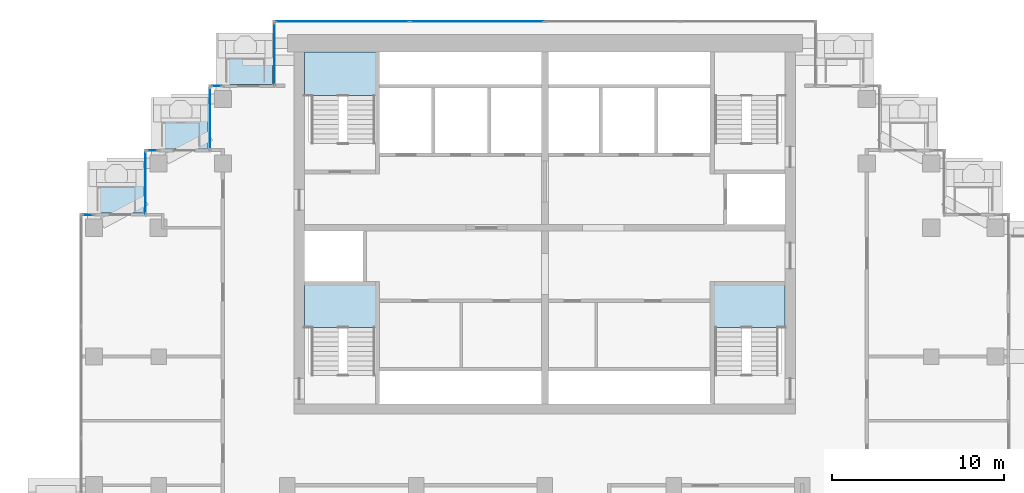
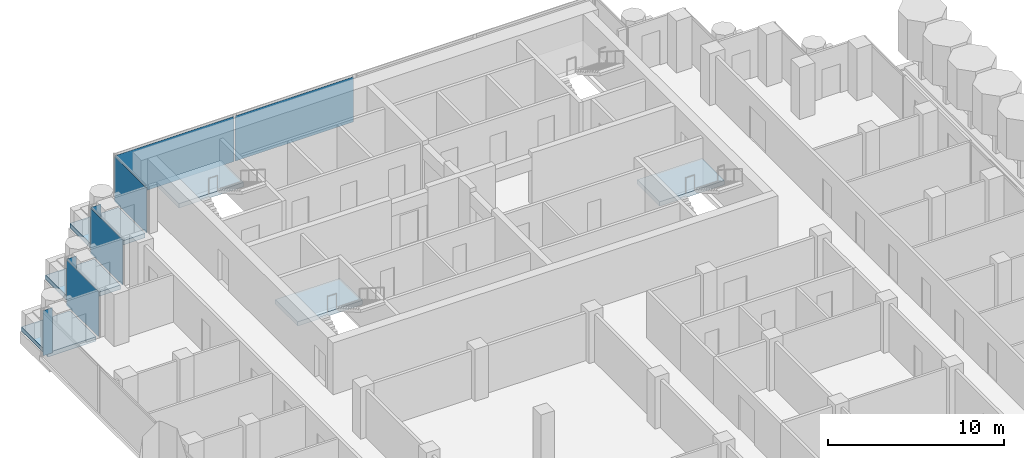
# One storey, part 9 of 19: 8 plates, 6 slabs, 10 elements without a shape of their own.
"""IFC4 building model written with IfcOpenShell, lengths in metres."""

from ifc_helpers import new_model, si_unit, direction, frame, origin, origin_2d, place, context, subcontext, project, spatial, polyline, rectangle, outline, extrude, material, layer, layer_set, type_object, element, aggregate, save


model = new_model("IFC4")

# Units and contexts
model_context = context("Model", 3, precision=1e-05, world=origin(), true_north=direction((0.0, 1.0)))
body_context = subcontext(model_context, "Body", "Model", "MODEL_VIEW")
ifc_project = project(units=[si_unit("LENGTHUNIT", "METRE"), si_unit("AREAUNIT", "SQUARE_METRE"), si_unit("VOLUMEUNIT", "CUBIC_METRE"), si_unit("PLANEANGLEUNIT", "RADIAN"), si_unit("MASSUNIT", "GRAM", prefix="KILO")], contexts=[model_context])

# Site, building, storey
site_placement = place(None, origin())
site = spatial("IfcSite", under=ifc_project, at=site_placement, CompositionType="ELEMENT")
building_placement = place(site_placement, origin())
building = spatial("IfcBuilding", under=site, at=building_placement, Name="Pilkhan Gate Tower", CompositionType="ELEMENT")
storey_placement = place(building_placement, frame((0.0, 0.0, 217.5)))
storey = spatial("IfcBuildingStorey", under=building, at=storey_placement, Name="L56", CompositionType="ELEMENT", Elevation=217.5)

# Slabs
ifc_material_1 = material(Name="Concrete C60/75", Category="concrete")
ifc_layer_1 = layer(ifc_material_1, 0.300048828125)
ifc_layer_set_1 = layer_set([ifc_layer_1], Name="Balcony tray slab TR300")
slab_type_1 = type_object("IfcSlabType", Name="Balcony tray slab TR300", PredefinedType="FLOOR", material=ifc_layer_set_1)
slab_1_placement = place(storey_placement, frame((0.0, 0.0, -0.300048828125)))
element("IfcSlab", 1, at=slab_1_placement, inside=storey, type_object=slab_type_1, Name="Balcony tray L56 N", PredefinedType="FLOOR", context=body_context, shape_type="SweptSolid", body=[
    extrude(outline(polyline([(59.14990234375, 90.85009765625), (59.14990234375, 93.85009765625), (55.949951171875, 93.85009765625), (55.949951171875, 90.85009765625), (59.14990234375, 90.85009765625)])), origin(), (0.0, 0.0, 1.0), 0.300048828125),
])
slab_2_placement = place(storey_placement, frame((0.0, 0.0, -0.300048828125)))
element("IfcSlab", 2, at=slab_2_placement, inside=storey, type_object=slab_type_1, Name="Balcony tray L56 N", PredefinedType="FLOOR", context=body_context, shape_type="SweptSolid", body=[
    extrude(outline(polyline([(55.3798828125, 87.1201171875), (55.3798828125, 90.10009765625), (52.199951171875, 90.10009765625), (52.199951171875, 87.1201171875), (55.3798828125, 87.1201171875)])), origin(), (0.0, 0.0, 1.0), 0.300048828125),
])
slab_3_placement = place(storey_placement, frame((0.0, 0.0, -0.300048828125)))
element("IfcSlab", 3, at=slab_3_placement, inside=storey, type_object=slab_type_1, Name="Balcony tray L56 N", PredefinedType="FLOOR", context=body_context, shape_type="SweptSolid", body=[
    extrude(outline(polyline([(51.6298828125, 83.3701171875), (51.6298828125, 86.35009765625), (48.449951171875, 86.35009765625), (48.449951171875, 83.3701171875), (51.6298828125, 83.3701171875)])), origin(), (0.0, 0.0, 1.0), 0.300048828125),
])

# Curtain wall, plates
ifc_material_2 = material(Name="Pale anodised aluminium, clear low-iron double glazing", Category="aluminium")
curtain_wall_type = type_object("IfcCurtainWallType", Name="Office unitised curtain wall CW-O2", PredefinedType="USERDEFINED", material=ifc_material_2)
curtain_wall_1_placement = place(storey_placement, origin())
curtain_wall_1 = element("IfcCurtainWall", 4, at=curtain_wall_1_placement, inside=storey, type_object=curtain_wall_type, Name="Office unitised curtain wall CW-O2 L56 N", ObjectType="UNITISED CURTAIN WALL", PredefinedType="USERDEFINED")
ifc_material_3 = material(Name="Clear low-iron double glazing", Category="glass")
ifc_layer_2 = layer(ifc_material_3, 0.031982421875)
ifc_layer_set_2 = layer_set([ifc_layer_2], Name="Glass panel CW-O2 32")
plate_type = type_object("IfcPlateType", Name="Glass panel CW-O2 32", PredefinedType="CURTAIN_PANEL", material=ifc_layer_set_2)
plate_1_placement = place(storey_placement, frame((63.203857421875, 94.5, 0.0), z_axis=(0.0, 0.0, 1.0), x_axis=(1.0, 0.0, 0.0)))
plate_1 = element("IfcPlate", 5, at=plate_1_placement, type_object=plate_type, Name="CW-O2 panel 1", PredefinedType="CURTAIN_PANEL", context=body_context, shape_type="SweptSolid", body=[
    extrude(rectangle(XDim=7.777587890625, YDim=0.031982421875, at=origin_2d()), origin(), (0.0, 0.0, 1.0), 3.135009765625),
])
plate_2_placement = place(storey_placement, frame((71.046142578125, 94.5, 0.0), z_axis=(0.0, 0.0, 1.0), x_axis=(1.0, 0.0, 0.0)))
plate_2 = element("IfcPlate", 6, at=plate_2_placement, type_object=plate_type, Name="CW-O2 panel 2", PredefinedType="CURTAIN_PANEL", context=body_context, shape_type="SweptSolid", body=[
    extrude(rectangle(XDim=7.777587890625, YDim=0.031982421875, at=origin_2d()), origin(), (0.0, 0.0, 1.0), 3.135009765625),
])
aggregate(curtain_wall_1, [plate_1, plate_2])

# Curtain wall, plate
curtain_wall_2_placement = place(storey_placement, origin())
curtain_wall_2 = element("IfcCurtainWall", 7, at=curtain_wall_2_placement, inside=storey, type_object=curtain_wall_type, Name="Office unitised curtain wall CW-O2 L56 W", ObjectType="UNITISED CURTAIN WALL", PredefinedType="USERDEFINED")
plate_3_placement = place(storey_placement, frame((59.25, 92.625, 0.0), z_axis=(0.0, 0.0, 1.0), x_axis=(0.0, 1.0, 0.0)))
plate_3 = element("IfcPlate", 8, at=plate_3_placement, type_object=plate_type, Name="CW-O2 panel 1", PredefinedType="CURTAIN_PANEL", context=body_context, shape_type="SweptSolid", body=[
    extrude(rectangle(XDim=3.6201171875, YDim=0.031982421875, at=origin_2d()), origin(), (0.0, 0.0, 1.0), 3.135009765625),
])
aggregate(curtain_wall_2, [plate_3])

curtain_wall_3_placement = place(storey_placement, origin())
curtain_wall_3 = element("IfcCurtainWall", 9, at=curtain_wall_3_placement, inside=storey, type_object=curtain_wall_type, Name="Office unitised curtain wall CW-O2 L56 N", ObjectType="UNITISED CURTAIN WALL", PredefinedType="USERDEFINED")
plate_4_placement = place(storey_placement, frame((55.875, 90.75, 0.0), z_axis=(0.0, 0.0, 1.0), x_axis=(1.0, 0.0, 0.0)))
plate_4 = element("IfcPlate", 10, at=plate_4_placement, type_object=plate_type, Name="CW-O2 panel 1", PredefinedType="CURTAIN_PANEL", context=body_context, shape_type="SweptSolid", body=[
    extrude(rectangle(XDim=0.6201171875, YDim=0.031982421875, at=origin_2d()), origin(), (0.0, 0.0, 1.0), 3.135009765625),
])
aggregate(curtain_wall_3, [plate_4])

curtain_wall_4_placement = place(storey_placement, origin())
curtain_wall_4 = element("IfcCurtainWall", 11, at=curtain_wall_4_placement, inside=storey, type_object=curtain_wall_type, Name="Office unitised curtain wall CW-O2 L56 W", ObjectType="UNITISED CURTAIN WALL", PredefinedType="USERDEFINED")
plate_5_placement = place(storey_placement, frame((55.5, 88.875, 0.0), z_axis=(0.0, 0.0, 1.0), x_axis=(0.0, 1.0, 0.0)))
plate_5 = element("IfcPlate", 12, at=plate_5_placement, type_object=plate_type, Name="CW-O2 panel 1", PredefinedType="CURTAIN_PANEL", context=body_context, shape_type="SweptSolid", body=[
    extrude(rectangle(XDim=3.6201171875, YDim=0.031982421875, at=origin_2d()), origin(), (0.0, 0.0, 1.0), 3.135009765625),
])
aggregate(curtain_wall_4, [plate_5])

curtain_wall_5_placement = place(storey_placement, origin())
curtain_wall_5 = element("IfcCurtainWall", 13, at=curtain_wall_5_placement, inside=storey, type_object=curtain_wall_type, Name="Office unitised curtain wall CW-O2 L56 N", ObjectType="UNITISED CURTAIN WALL", PredefinedType="USERDEFINED")
plate_6_placement = place(storey_placement, frame((52.125, 87.0, 0.0), z_axis=(0.0, 0.0, 1.0), x_axis=(1.0, 0.0, 0.0)))
plate_6 = element("IfcPlate", 14, at=plate_6_placement, type_object=plate_type, Name="CW-O2 panel 1", PredefinedType="CURTAIN_PANEL", context=body_context, shape_type="SweptSolid", body=[
    extrude(rectangle(XDim=0.6201171875, YDim=0.031982421875, at=origin_2d()), origin(), (0.0, 0.0, 1.0), 3.135009765625),
])
aggregate(curtain_wall_5, [plate_6])

curtain_wall_6_placement = place(storey_placement, origin())
curtain_wall_6 = element("IfcCurtainWall", 15, at=curtain_wall_6_placement, inside=storey, type_object=curtain_wall_type, Name="Office unitised curtain wall CW-O2 L56 W", ObjectType="UNITISED CURTAIN WALL", PredefinedType="USERDEFINED")
plate_7_placement = place(storey_placement, frame((51.75, 85.125, 0.0), z_axis=(0.0, 0.0, 1.0), x_axis=(0.0, 1.0, 0.0)))
plate_7 = element("IfcPlate", 16, at=plate_7_placement, type_object=plate_type, Name="CW-O2 panel 1", PredefinedType="CURTAIN_PANEL", context=body_context, shape_type="SweptSolid", body=[
    extrude(rectangle(XDim=3.6201171875, YDim=0.031982421875, at=origin_2d()), origin(), (0.0, 0.0, 1.0), 3.135009765625),
])
aggregate(curtain_wall_6, [plate_7])

curtain_wall_7_placement = place(storey_placement, origin())
curtain_wall_7 = element("IfcCurtainWall", 17, at=curtain_wall_7_placement, inside=storey, type_object=curtain_wall_type, Name="Office unitised curtain wall CW-O2 L56 N", ObjectType="UNITISED CURTAIN WALL", PredefinedType="USERDEFINED")
plate_8_placement = place(storey_placement, frame((48.375, 83.25, 0.0), z_axis=(0.0, 0.0, 1.0), x_axis=(1.0, 0.0, 0.0)))
plate_8 = element("IfcPlate", 18, at=plate_8_placement, type_object=plate_type, Name="CW-O2 panel 1", PredefinedType="CURTAIN_PANEL", context=body_context, shape_type="SweptSolid", body=[
    extrude(rectangle(XDim=0.6201171875, YDim=0.031982421875, at=origin_2d()), origin(), (0.0, 0.0, 1.0), 3.135009765625),
])
aggregate(curtain_wall_7, [plate_8])

# Stair, slab
ifc_material_4 = material(Name="Concrete C40/50 precast", Category="concrete")
stair_type_1 = type_object("IfcStairType", Name="Stair ST1 164x280", PredefinedType="HALF_TURN_STAIR", material=ifc_material_4)
stair_1_placement = place(storey_placement, origin())
stair_1 = element("IfcStair", 19, at=stair_1_placement, inside=storey, type_object=stair_type_1, Name="Stair ST1 L56", PredefinedType="HALF_TURN_STAIR")
ifc_material_5 = material(Name="Concrete C40/50", Category="concrete")
ifc_layer_3 = layer(ifc_material_5, 0.199951171875)
ifc_layer_set_3 = layer_set([ifc_layer_3], Name="Stair landing SL200")
slab_type_2 = type_object("IfcSlabType", Name="Stair landing SL200", PredefinedType="LANDING", material=ifc_layer_set_3)
slab_4_placement = place(storey_placement, frame((0.0, 0.0, 1.5)))
slab_4 = element("IfcSlab", 20, at=slab_4_placement, type_object=slab_type_2, Name="ST1 landing 1", PredefinedType="LANDING", context=body_context, shape_type="SweptSolid", body=[
    extrude(outline(polyline([(89.0, 76.699951171875), (89.0, 79.25), (84.75, 79.25), (84.75, 76.699951171875), (89.0, 76.699951171875)])), origin(), (0.0, 0.0, 1.0), 0.300048828125),
])
aggregate(stair_1, [slab_4])

stair_type_2 = type_object("IfcStairType", Name="Stair ST2 164x280", PredefinedType="HALF_TURN_STAIR", material=ifc_material_4)
stair_2_placement = place(storey_placement, origin())
stair_2 = element("IfcStair", 21, at=stair_2_placement, inside=storey, type_object=stair_type_2, Name="Stair ST2 L56", PredefinedType="HALF_TURN_STAIR")
slab_5_placement = place(storey_placement, frame((0.0, 0.0, 1.5)))
slab_5 = element("IfcSlab", 22, at=slab_5_placement, type_object=slab_type_2, Name="ST2 landing 1", PredefinedType="LANDING", context=body_context, shape_type="SweptSolid", body=[
    extrude(outline(polyline([(65.25, 76.699951171875), (65.25, 79.25), (61.0, 79.25), (61.0, 76.699951171875), (65.25, 76.699951171875)])), origin(), (0.0, 0.0, 1.0), 0.300048828125),
])
aggregate(stair_2, [slab_5])

stair_type_3 = type_object("IfcStairType", Name="Stair ST3 164x280", PredefinedType="HALF_TURN_STAIR", material=ifc_material_4)
stair_3_placement = place(storey_placement, origin())
stair_3 = element("IfcStair", 23, at=stair_3_placement, inside=storey, type_object=stair_type_3, Name="Stair ST3 L56", PredefinedType="HALF_TURN_STAIR")
slab_6_placement = place(storey_placement, frame((0.0, 0.0, 1.5)))
slab_6 = element("IfcSlab", 24, at=slab_6_placement, type_object=slab_type_2, Name="ST3 landing 1", PredefinedType="LANDING", context=body_context, shape_type="SweptSolid", body=[
    extrude(outline(polyline([(65.25, 90.199951171875), (65.25, 92.75), (61.0, 92.75), (61.0, 90.199951171875), (65.25, 90.199951171875)])), origin(), (0.0, 0.0, 1.0), 0.300048828125),
])
aggregate(stair_3, [slab_6])

save(model, "model.ifc")
